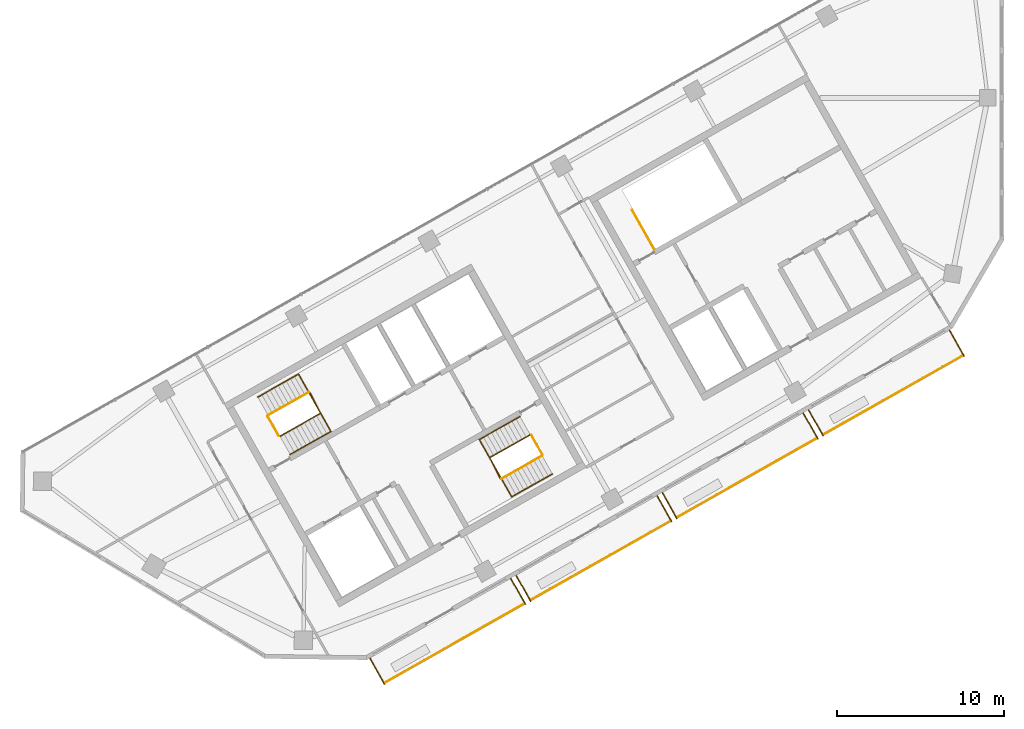
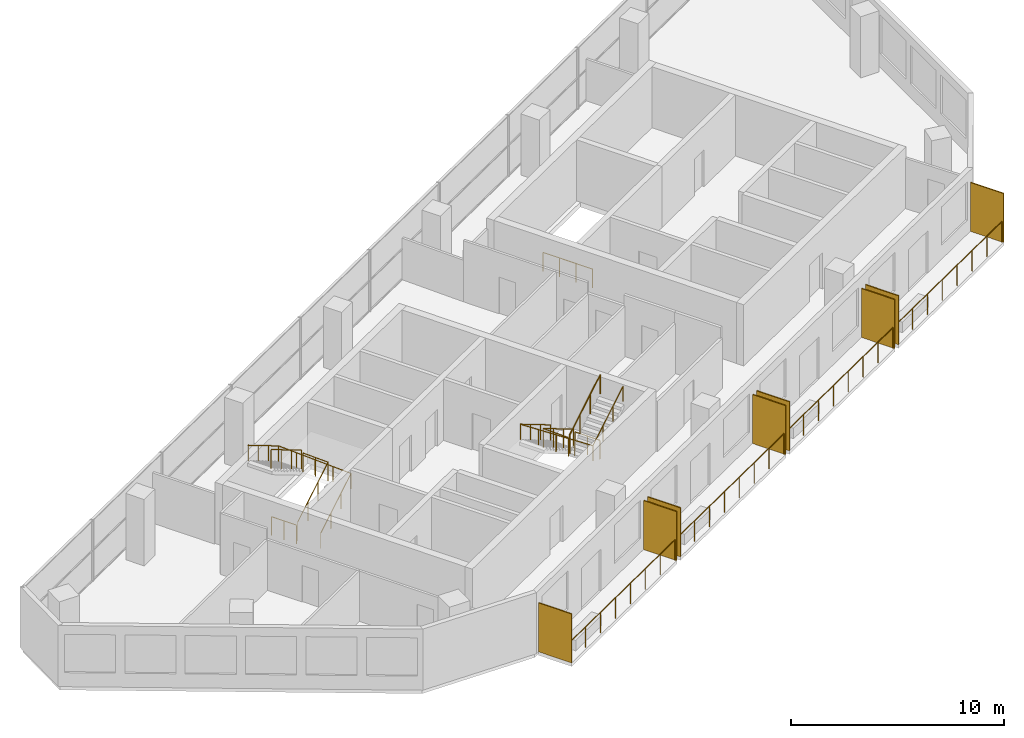
# One storey, part 9 of 10: 13 railings, 8 shading devices.
"""IFC4 building model written with IfcOpenShell, lengths in metres."""

from ifc_helpers import new_model, si_unit, direction, frame, origin, origin_2d, place, context, subcontext, project, spatial, rectangle, circle, extrude, material, layer, layer_set, type_object, element, save


model = new_model("IFC4")

# Units and contexts
model_context = context("Model", 3, precision=1e-05, world=origin(), true_north=direction((0.0, 1.0)))
body_context = subcontext(model_context, "Body", "Model", "MODEL_VIEW")
ifc_project = project(units=[si_unit("LENGTHUNIT", "METRE"), si_unit("AREAUNIT", "SQUARE_METRE"), si_unit("VOLUMEUNIT", "CUBIC_METRE"), si_unit("PLANEANGLEUNIT", "RADIAN"), si_unit("MASSUNIT", "GRAM", prefix="KILO")], contexts=[model_context])

# Site, building, storey
site_placement = place(None, origin())
site = spatial("IfcSite", under=ifc_project, at=site_placement, CompositionType="ELEMENT")
building_placement = place(site_placement, origin())
building = spatial("IfcBuilding", under=site, at=building_placement, Name="Binnacle Exchange Tower", CompositionType="ELEMENT")
storey_placement = place(building_placement, frame((0.0, 0.0, 343.10009765625)))
storey = spatial("IfcBuildingStorey", under=building, at=storey_placement, Name="L78", CompositionType="ELEMENT", Elevation=343.10009765625)

# Railings
ifc_material_1 = material(Name="Bronze anodised aluminium frame", Category="aluminium")
railing_type_1 = type_object("IfcRailingType", Name="GUARD 1200", PredefinedType="GUARDRAIL", material=ifc_material_1)
for number, where, name in (
    (1, (-37.006591796875, 24.94287109375, 0.0), "Balcony guard H07-B00 L78"),
    (2, (-28.24365234375, 29.900634765625, 0.0), "Balcony guard H07-B01 L78"),
):
    element("IfcRailing", number, at=place(storey_placement, frame(where)), inside=storey, type_object=railing_type_1, Name=name, PredefinedType="GUARDRAIL", context=body_context, shape_type="SweptSolid", body=[
        extrude(circle(Radius=0.02392578125, at=origin_2d()), frame((0.0, 0.0, 1.17578125), z_axis=(0.870359171481, 0.492417417055, 0.0), x_axis=(-0.492417417055, 0.870359171481, 0.0)), (0.0, 0.0, 1.0), 9.648193359375),
        extrude(circle(Radius=0.02099609375, at=origin_2d()), origin(), (0.0, 0.0, 1.0), 1.15185546875),
        extrude(circle(Radius=0.02099609375, at=origin_2d()), frame((1.19970703125, 0.6787109375, 0.0)), (0.0, 0.0, 1.0), 1.15185546875),
        extrude(circle(Radius=0.02099609375, at=origin_2d()), frame((2.399169921875, 1.357421875, 0.0)), (0.0, 0.0, 1.0), 1.15185546875),
        extrude(circle(Radius=0.02099609375, at=origin_2d()), frame((3.598876953125, 2.0361328125, 0.0)), (0.0, 0.0, 1.0), 1.15185546875),
        extrude(circle(Radius=0.02099609375, at=origin_2d()), frame((4.798583984375, 2.71484375, 0.0)), (0.0, 0.0, 1.0), 1.15185546875),
        extrude(circle(Radius=0.02099609375, at=origin_2d()), frame((5.998291015625, 3.3935546875, 0.0)), (0.0, 0.0, 1.0), 1.15185546875),
        extrude(circle(Radius=0.02099609375, at=origin_2d()), frame((7.19775390625, 4.072265625, 0.0)), (0.0, 0.0, 1.0), 1.15185546875),
        extrude(circle(Radius=0.02099609375, at=origin_2d()), frame((8.3974609375, 4.7509765625, 0.0)), (0.0, 0.0, 1.0), 1.15185546875),
    ])
railing_1_placement = place(storey_placement, frame((-19.480712890625, 34.8583984375, 0.0)))
element("IfcRailing", 3, at=railing_1_placement, inside=storey, type_object=railing_type_1, Name="Balcony guard H07-B02 L78", PredefinedType="GUARDRAIL", context=body_context, shape_type="SweptSolid", body=[
    extrude(circle(Radius=0.02392578125, at=origin_2d()), frame((0.0, 0.0, 1.17578125), z_axis=(0.870342190373, 0.492447430349, 0.0), x_axis=(-0.492447430349, 0.870342190373, 0.0)), (0.0, 0.0, 1.0), 9.648193359375),
    extrude(circle(Radius=0.02099609375, at=origin_2d()), origin(), (0.0, 0.0, 1.0), 1.15185546875),
    extrude(circle(Radius=0.02099609375, at=origin_2d()), frame((1.19970703125, 0.6787109375, 0.0)), (0.0, 0.0, 1.0), 1.15185546875),
    extrude(circle(Radius=0.02099609375, at=origin_2d()), frame((2.399169921875, 1.357421875, 0.0)), (0.0, 0.0, 1.0), 1.15185546875),
    extrude(circle(Radius=0.02099609375, at=origin_2d()), frame((3.598876953125, 2.0361328125, 0.0)), (0.0, 0.0, 1.0), 1.15185546875),
    extrude(circle(Radius=0.02099609375, at=origin_2d()), frame((4.79833984375, 2.715087890625, 0.0)), (0.0, 0.0, 1.0), 1.15185546875),
    extrude(circle(Radius=0.02099609375, at=origin_2d()), frame((5.998046875, 3.393798828125, 0.0)), (0.0, 0.0, 1.0), 1.15185546875),
    extrude(circle(Radius=0.02099609375, at=origin_2d()), frame((7.197509765625, 4.072509765625, 0.0)), (0.0, 0.0, 1.0), 1.15185546875),
    extrude(circle(Radius=0.02099609375, at=origin_2d()), frame((8.397216796875, 4.751220703125, 0.0)), (0.0, 0.0, 1.0), 1.15185546875),
])
railing_2_placement = place(storey_placement, frame((-10.7177734375, 39.81640625, 0.0)))
element("IfcRailing", 4, at=railing_2_placement, inside=storey, type_object=railing_type_1, Name="Balcony guard H07-B03 L78", PredefinedType="GUARDRAIL", context=body_context, shape_type="SweptSolid", body=[
    extrude(circle(Radius=0.02392578125, at=origin_2d()), frame((0.0, 0.0, 1.17578125), z_axis=(0.870353035673, 0.492428262079, 0.0), x_axis=(-0.492428262079, 0.870353035673, 0.0)), (0.0, 0.0, 1.0), 9.64794921875),
    extrude(circle(Radius=0.02099609375, at=origin_2d()), origin(), (0.0, 0.0, 1.0), 1.15185546875),
    extrude(circle(Radius=0.02099609375, at=origin_2d()), frame((1.19970703125, 0.6787109375, 0.0)), (0.0, 0.0, 1.0), 1.15185546875),
    extrude(circle(Radius=0.02099609375, at=origin_2d()), frame((2.399169921875, 1.357421875, 0.0)), (0.0, 0.0, 1.0), 1.15185546875),
    extrude(circle(Radius=0.02099609375, at=origin_2d()), frame((3.598876953125, 2.0361328125, 0.0)), (0.0, 0.0, 1.0), 1.15185546875),
    extrude(circle(Radius=0.02099609375, at=origin_2d()), frame((4.79833984375, 2.71484375, 0.0)), (0.0, 0.0, 1.0), 1.15185546875),
    extrude(circle(Radius=0.02099609375, at=origin_2d()), frame((5.998046875, 3.3935546875, 0.0)), (0.0, 0.0, 1.0), 1.15185546875),
    extrude(circle(Radius=0.02099609375, at=origin_2d()), frame((7.197509765625, 4.072265625, 0.0)), (0.0, 0.0, 1.0), 1.15185546875),
    extrude(circle(Radius=0.02099609375, at=origin_2d()), frame((8.397216796875, 4.7509765625, 0.0)), (0.0, 0.0, 1.0), 1.15185546875),
])

# Shading devices
ifc_material_2 = material(Name="Bronze aluminium louvre", Category="aluminium")
ifc_layer = layer(ifc_material_2, 0.06005859375)
ifc_layer_set = layer_set([ifc_layer], Name="PLANTED SCREEN 60x2800")
shading_device_type = type_object("IfcShadingDeviceType", Name="PLANTED SCREEN 60x2800", PredefinedType="USERDEFINED", material=ifc_layer_set)
for number, where, z_axis, x_axis, name in (
    (5, (-37.436279296875, 25.641845703125, 0.0), (0.0, 0.0, 1.0), (0.87035569594, 0.492423560103, 0.0), "Planted screen H07-B00a L78"),
    (6, (-28.98681640625, 30.42236328125, 0.0), (0.0, 0.0, 1.0), (0.87035569594, 0.492423560103, 0.0), "Planted screen H07-B00b L78"),
    (7, (-28.673583984375, 30.599609375, 0.0), (0.0, 0.0, 1.0), (0.87035569594, 0.492423560103, 0.0), "Planted screen H07-B01a L78"),
    (8, (-20.223876953125, 35.380126953125, 0.0), (0.0, 0.0, 1.0), (0.87035569594, 0.492423560103, 0.0), "Planted screen H07-B01b L78"),
    (9, (-19.91064453125, 35.5576171875, 0.0), (0.0, 0.0, 1.0), (0.87035569594, 0.492423560103, 0.0), "Planted screen H07-B02a L78"),
    (10, (-11.461181640625, 40.337890625, 0.0), (0.0, 0.0, 1.0), (0.87035569594, 0.492423560103, 0.0), "Planted screen H07-B02b L78"),
    (11, (-11.147705078125, 40.51513671875, 0.0), (0.0, 0.0, 1.0), (0.87035569594, 0.492423560103, 0.0), "Planted screen H07-B03a L78"),
    (12, (-2.697998046875, 45.2958984375, 0.0), (0.0, 0.0, 1.0), (0.87035569594, 0.492423560103, 0.0), "Planted screen H07-B03b L78"),
):
    element("IfcShadingDevice", number, at=place(storey_placement, frame(where, z_axis=z_axis, x_axis=x_axis)), inside=storey, type_object=shading_device_type, Name=name, ObjectType="SCREEN", PredefinedType="USERDEFINED", context=body_context, shape_type="SweptSolid", body=[
        extrude(rectangle(XDim=0.06005859375, YDim=1.800048828125, at=origin_2d()), origin(), (0.0, 0.0, 1.0), 2.800048828125),
    ])

# Railings
ifc_material_3 = material(Name="Steel guard rail", Category="steel")
railing_type_2 = type_object("IfcRailingType", Name="STAIR GUARD 1100", PredefinedType="GUARDRAIL", material=ifc_material_3)
railing_3_placement = place(storey_placement, frame((-43.26171875, 39.71728515625, 0.172607421875)))
element("IfcRailing", 13, at=railing_3_placement, inside=storey, type_object=railing_type_2, Name="L78 STA1 stair guard 1", PredefinedType="GUARDRAIL", context=body_context, shape_type="SweptSolid", body=[
    extrude(circle(Radius=0.02392578125, at=origin_2d()), frame((0.0, 0.0, 1.076171875), z_axis=(0.740737961854, 0.419123222656, 0.525017138862), x_axis=(-0.492453686477, 0.870338650569, 0.0)), (0.0, 0.0, 1.0), 3.2900390625),
    extrude(circle(Radius=0.02392578125, at=origin_2d()), frame((2.43701171875, 1.37890625, 2.80322265625), z_axis=(-0.461100321709, 0.887348011391, 0.0), x_axis=(-0.887348011391, -0.461100321709, 0.0)), (0.0, 0.0, 1.0), 1.40087890625),
    extrude(circle(Radius=0.02099609375, at=origin_2d()), origin(), (0.0, 0.0, 1.0), 1.052001953125),
    extrude(circle(Radius=0.02099609375, at=origin_2d()), frame((0.812255859375, 0.459716796875, 0.57568359375)), (0.0, 0.0, 1.0), 1.052001953125),
    extrude(circle(Radius=0.02099609375, at=origin_2d()), frame((1.624755859375, 0.919189453125, 1.151611328125)), (0.0, 0.0, 1.0), 1.052001953125),
    extrude(circle(Radius=0.02099609375, at=origin_2d()), frame((2.43701171875, 1.37890625, 1.727294921875)), (0.0, 0.0, 1.0), 1.052001953125),
    extrude(circle(Radius=0.02099609375, at=origin_2d()), frame((2.114013671875, 2.00048828125, 1.727294921875)), (0.0, 0.0, 1.0), 1.052001953125),
    extrude(circle(Radius=0.02099609375, at=origin_2d()), frame((1.791015625, 2.6220703125, 1.727294921875)), (0.0, 0.0, 1.0), 1.052001953125),
])
railing_4_placement = place(storey_placement, frame((-41.538818359375, 42.358154296875, 2.072509765625)))
element("IfcRailing", 14, at=railing_4_placement, inside=storey, type_object=railing_type_2, Name="L78 STA1 stair guard 2", PredefinedType="GUARDRAIL", context=body_context, shape_type="SweptSolid", body=[
    extrude(circle(Radius=0.02392578125, at=origin_2d()), frame((0.0, 0.0, 1.076171875), z_axis=(-0.740737961854, -0.419123222656, 0.525017138862), x_axis=(0.492453686477, -0.870338650569, 0.0)), (0.0, 0.0, 1.0), 3.2900390625),
    extrude(circle(Radius=0.02099609375, at=origin_2d()), origin(), (0.0, 0.0, 1.0), 1.052001953125),
    extrude(circle(Radius=0.02099609375, at=origin_2d()), frame((-0.812255859375, -0.459716796875, 0.57568359375)), (0.0, 0.0, 1.0), 1.052001953125),
    extrude(circle(Radius=0.02099609375, at=origin_2d()), frame((-1.624755859375, -0.919189453125, 1.151611328125)), (0.0, 0.0, 1.0), 1.052001953125),
    extrude(circle(Radius=0.02099609375, at=origin_2d()), frame((-2.43701171875, -1.37890625, 1.727294921875)), (0.0, 0.0, 1.0), 1.052001953125),
])
railing_5_placement = place(storey_placement, frame((-43.329833984375, 39.736328125, 0.0)))
element("IfcRailing", 15, at=railing_5_placement, inside=storey, type_object=railing_type_2, Name="L78 STA1 stair guard 3", PredefinedType="GUARDRAIL", context=body_context, shape_type="SweptSolid", body=[
    extrude(circle(Radius=0.02392578125, at=origin_2d()), frame((0.0, 0.0, 1.076171875), z_axis=(-0.4924922531, 0.870316827734, 0.0), x_axis=(-0.870316827734, -0.4924922531, 0.0)), (0.0, 0.0, 1.0), 1.349853515625),
    extrude(circle(Radius=0.02099609375, at=origin_2d()), origin(), (0.0, 0.0, 1.0), 1.052001953125),
    extrude(circle(Radius=0.02099609375, at=origin_2d()), frame((-0.33251953125, 0.58740234375, 0.0)), (0.0, 0.0, 1.0), 1.052001953125),
    extrude(circle(Radius=0.02099609375, at=origin_2d()), frame((-0.664794921875, 1.1748046875, 0.0)), (0.0, 0.0, 1.0), 1.052001953125),
])
railing_6_placement = place(storey_placement, frame((-28.265380859375, 39.814453125, 0.172607421875)))
element("IfcRailing", 16, at=railing_6_placement, inside=storey, type_object=railing_type_2, Name="L78 STA2 stair guard 1", PredefinedType="GUARDRAIL", context=body_context, shape_type="SweptSolid", body=[
    extrude(circle(Radius=0.02392578125, at=origin_2d()), frame((0.0, 0.0, 1.076171875), z_axis=(-0.740760999345, -0.419062048017, 0.525033467278), x_axis=(0.492387636113, -0.870376019777, 0.0)), (0.0, 0.0, 1.0), 3.289794921875),
    extrude(circle(Radius=0.02392578125, at=origin_2d()), frame((-2.43701171875, -1.378662109375, 2.80322265625), z_axis=(0.460963092712, -0.887419307406, 0.0), x_axis=(0.887419307406, 0.460963092712, 0.0)), (0.0, 0.0, 1.0), 1.40087890625),
    extrude(circle(Radius=0.02099609375, at=origin_2d()), origin(), (0.0, 0.0, 1.0), 1.052001953125),
    extrude(circle(Radius=0.02099609375, at=origin_2d()), frame((-0.812255859375, -0.45947265625, 0.57568359375)), (0.0, 0.0, 1.0), 1.052001953125),
    extrude(circle(Radius=0.02099609375, at=origin_2d()), frame((-1.624755859375, -0.919189453125, 1.151611328125)), (0.0, 0.0, 1.0), 1.052001953125),
    extrude(circle(Radius=0.02099609375, at=origin_2d()), frame((-2.43701171875, -1.378662109375, 1.727294921875)), (0.0, 0.0, 1.0), 1.052001953125),
    extrude(circle(Radius=0.02099609375, at=origin_2d()), frame((-2.1142578125, -2.000244140625, 1.727294921875)), (0.0, 0.0, 1.0), 1.052001953125),
    extrude(circle(Radius=0.02099609375, at=origin_2d()), frame((-1.791259765625, -2.621826171875, 1.727294921875)), (0.0, 0.0, 1.0), 1.052001953125),
])
railing_7_placement = place(storey_placement, frame((-29.988525390625, 37.173583984375, 2.072509765625)))
element("IfcRailing", 17, at=railing_7_placement, inside=storey, type_object=railing_type_2, Name="L78 STA2 stair guard 2", PredefinedType="GUARDRAIL", context=body_context, shape_type="SweptSolid", body=[
    extrude(circle(Radius=0.02392578125, at=origin_2d()), frame((0.0, 0.0, 1.076171875), z_axis=(0.740737961854, 0.419123222656, 0.525017138862), x_axis=(-0.492453686477, 0.870338650569, 0.0)), (0.0, 0.0, 1.0), 3.2900390625),
    extrude(circle(Radius=0.02099609375, at=origin_2d()), origin(), (0.0, 0.0, 1.0), 1.052001953125),
    extrude(circle(Radius=0.02099609375, at=origin_2d()), frame((0.812255859375, 0.459716796875, 0.57568359375)), (0.0, 0.0, 1.0), 1.052001953125),
    extrude(circle(Radius=0.02099609375, at=origin_2d()), frame((1.624755859375, 0.919189453125, 1.151611328125)), (0.0, 0.0, 1.0), 1.052001953125),
    extrude(circle(Radius=0.02099609375, at=origin_2d()), frame((2.43701171875, 1.37890625, 1.727294921875)), (0.0, 0.0, 1.0), 1.052001953125),
])
railing_8_placement = place(storey_placement, frame((-28.197265625, 39.795654296875, 0.0)))
element("IfcRailing", 18, at=railing_8_placement, inside=storey, type_object=railing_type_2, Name="L78 STA2 stair guard 3", PredefinedType="GUARDRAIL", context=body_context, shape_type="SweptSolid", body=[
    extrude(circle(Radius=0.02392578125, at=origin_2d()), frame((0.0, 0.0, 1.076171875), z_axis=(0.49241474071, -0.870360685654, 0.0), x_axis=(0.870360685654, 0.49241474071, 0.0)), (0.0, 0.0, 1.0), 1.35009765625),
    extrude(circle(Radius=0.02099609375, at=origin_2d()), origin(), (0.0, 0.0, 1.0), 1.052001953125),
    extrude(circle(Radius=0.02099609375, at=origin_2d()), frame((0.33251953125, -0.58740234375, 0.0)), (0.0, 0.0, 1.0), 1.052001953125),
    extrude(circle(Radius=0.02099609375, at=origin_2d()), frame((0.664794921875, -1.175048828125, 0.0)), (0.0, 0.0, 1.0), 1.052001953125),
])
railing_9_placement = place(storey_placement, frame((-20.8271484375, 50.91650390625, 0.0)))
element("IfcRailing", 19, at=railing_9_placement, inside=storey, type_object=railing_type_2, Name="L78 STC1 top well guard 1", PredefinedType="GUARDRAIL", context=body_context, shape_type="SweptSolid", body=[
    extrude(circle(Radius=0.02392578125, at=origin_2d()), frame((0.0, 0.0, 1.076171875), z_axis=(-0.49241474071, 0.870360685654, 0.0), x_axis=(-0.870360685654, -0.49241474071, 0.0)), (0.0, 0.0, 1.0), 2.7001953125),
    extrude(circle(Radius=0.02099609375, at=origin_2d()), origin(), (0.0, 0.0, 1.0), 1.052001953125),
    extrude(circle(Radius=0.02099609375, at=origin_2d()), frame((-0.443115234375, 0.783447265625, 0.0)), (0.0, 0.0, 1.0), 1.052001953125),
    extrude(circle(Radius=0.02099609375, at=origin_2d()), frame((-0.886474609375, 1.566650390625, 0.0)), (0.0, 0.0, 1.0), 1.052001953125),
    extrude(circle(Radius=0.02099609375, at=origin_2d()), frame((-1.32958984375, 2.35009765625, 0.0)), (0.0, 0.0, 1.0), 1.052001953125),
])
ifc_material_4 = material(Name="Steel handrail", Category="steel")
railing_type_3 = type_object("IfcRailingType", Name="STAIR HANDRAIL 900", PredefinedType="HANDRAIL", material=ifc_material_4)
railing_10_placement = place(storey_placement, frame((-42.646240234375, 38.62939453125, 0.172607421875)))
element("IfcRailing", 20, at=railing_10_placement, inside=storey, type_object=railing_type_3, Name="L78 STA1 stair handrail 1", PredefinedType="HANDRAIL", context=body_context, shape_type="SweptSolid", body=[
    extrude(circle(Radius=0.02392578125, at=origin_2d()), frame((0.0, 0.0, 0.8759765625), z_axis=(0.740760999345, 0.419062048017, 0.525033467278), x_axis=(-0.492387636113, 0.870376019777, 0.0)), (0.0, 0.0, 1.0), 3.289794921875),
    extrude(circle(Radius=0.02392578125, at=origin_2d()), frame((2.43701171875, 1.378662109375, 2.60302734375), z_axis=(-0.491944173491, 0.869531549026, 0.043655645871), x_axis=(-0.870361318571, -0.492413622004, 0.0)), (0.0, 0.0, 1.0), 3.953857421875),
    extrude(circle(Radius=0.02392578125, at=origin_2d()), frame((0.491943359375, 4.816650390625, 2.77587890625), z_axis=(-0.740760999345, -0.419062048017, 0.525033467278), x_axis=(0.492387636113, -0.870376019777, 0.0)), (0.0, 0.0, 1.0), 3.289794921875),
    extrude(circle(Radius=0.02099609375, at=origin_2d()), origin(), (0.0, 0.0, 1.0), 0.851806640625),
    extrude(circle(Radius=0.02099609375, at=origin_2d()), frame((0.812255859375, 0.45947265625, 0.57568359375)), (0.0, 0.0, 1.0), 0.851806640625),
    extrude(circle(Radius=0.02099609375, at=origin_2d()), frame((1.624755859375, 0.919189453125, 1.151611328125)), (0.0, 0.0, 1.0), 0.851806640625),
    extrude(circle(Radius=0.02099609375, at=origin_2d()), frame((2.43701171875, 1.378662109375, 1.727294921875)), (0.0, 0.0, 1.0), 0.851806640625),
    extrude(circle(Radius=0.02099609375, at=origin_2d()), frame((1.95068359375, 2.23828125, 1.7705078125)), (0.0, 0.0, 1.0), 0.851806640625),
    extrude(circle(Radius=0.02099609375, at=origin_2d()), frame((1.46435546875, 3.09765625, 1.8134765625)), (0.0, 0.0, 1.0), 0.851806640625),
    extrude(circle(Radius=0.02099609375, at=origin_2d()), frame((0.978271484375, 3.95703125, 1.856689453125)), (0.0, 0.0, 1.0), 0.851806640625),
    extrude(circle(Radius=0.02099609375, at=origin_2d()), frame((0.491943359375, 4.816650390625, 1.89990234375)), (0.0, 0.0, 1.0), 0.851806640625),
    extrude(circle(Radius=0.02099609375, at=origin_2d()), frame((-0.3203125, 4.357177734375, 2.4755859375)), (0.0, 0.0, 1.0), 0.851806640625),
    extrude(circle(Radius=0.02099609375, at=origin_2d()), frame((-1.1328125, 3.8974609375, 3.051513671875)), (0.0, 0.0, 1.0), 0.851806640625),
    extrude(circle(Radius=0.02099609375, at=origin_2d()), frame((-1.945068359375, 3.43798828125, 3.627197265625)), (0.0, 0.0, 1.0), 0.851806640625),
])
railing_11_placement = place(storey_placement, frame((-28.880859375, 40.90234375, 0.172607421875)))
element("IfcRailing", 21, at=railing_11_placement, inside=storey, type_object=railing_type_3, Name="L78 STA2 stair handrail 1", PredefinedType="HANDRAIL", context=body_context, shape_type="SweptSolid", body=[
    extrude(circle(Radius=0.02392578125, at=origin_2d()), frame((0.0, 0.0, 0.8759765625), z_axis=(-0.740760999345, -0.419062048017, 0.525033467278), x_axis=(0.492387636113, -0.870376019777, 0.0)), (0.0, 0.0, 1.0), 3.289794921875),
    extrude(circle(Radius=0.02392578125, at=origin_2d()), frame((-2.43701171875, -1.378662109375, 2.60302734375), z_axis=(0.491944173491, -0.869531549026, 0.043655645871), x_axis=(0.870361318571, 0.492413622004, 0.0)), (0.0, 0.0, 1.0), 3.953857421875),
    extrude(circle(Radius=0.02392578125, at=origin_2d()), frame((-0.491943359375, -4.816650390625, 2.77587890625), z_axis=(0.740737961854, 0.419123222656, 0.525017138862), x_axis=(-0.492453686477, 0.870338650569, 0.0)), (0.0, 0.0, 1.0), 3.2900390625),
    extrude(circle(Radius=0.02099609375, at=origin_2d()), origin(), (0.0, 0.0, 1.0), 0.851806640625),
    extrude(circle(Radius=0.02099609375, at=origin_2d()), frame((-0.812255859375, -0.45947265625, 0.57568359375)), (0.0, 0.0, 1.0), 0.851806640625),
    extrude(circle(Radius=0.02099609375, at=origin_2d()), frame((-1.624755859375, -0.919189453125, 1.151611328125)), (0.0, 0.0, 1.0), 0.851806640625),
    extrude(circle(Radius=0.02099609375, at=origin_2d()), frame((-2.43701171875, -1.378662109375, 1.727294921875)), (0.0, 0.0, 1.0), 0.851806640625),
    extrude(circle(Radius=0.02099609375, at=origin_2d()), frame((-1.95068359375, -2.23828125, 1.7705078125)), (0.0, 0.0, 1.0), 0.851806640625),
    extrude(circle(Radius=0.02099609375, at=origin_2d()), frame((-1.46435546875, -3.09765625, 1.8134765625)), (0.0, 0.0, 1.0), 0.851806640625),
    extrude(circle(Radius=0.02099609375, at=origin_2d()), frame((-0.978271484375, -3.95703125, 1.856689453125)), (0.0, 0.0, 1.0), 0.851806640625),
    extrude(circle(Radius=0.02099609375, at=origin_2d()), frame((-0.491943359375, -4.816650390625, 1.89990234375)), (0.0, 0.0, 1.0), 0.851806640625),
    extrude(circle(Radius=0.02099609375, at=origin_2d()), frame((0.3203125, -4.35693359375, 2.4755859375)), (0.0, 0.0, 1.0), 0.851806640625),
    extrude(circle(Radius=0.02099609375, at=origin_2d()), frame((1.1328125, -3.8974609375, 3.051513671875)), (0.0, 0.0, 1.0), 0.851806640625),
    extrude(circle(Radius=0.02099609375, at=origin_2d()), frame((1.945068359375, -3.437744140625, 3.627197265625)), (0.0, 0.0, 1.0), 0.851806640625),
])

save(model, "model.ifc")
